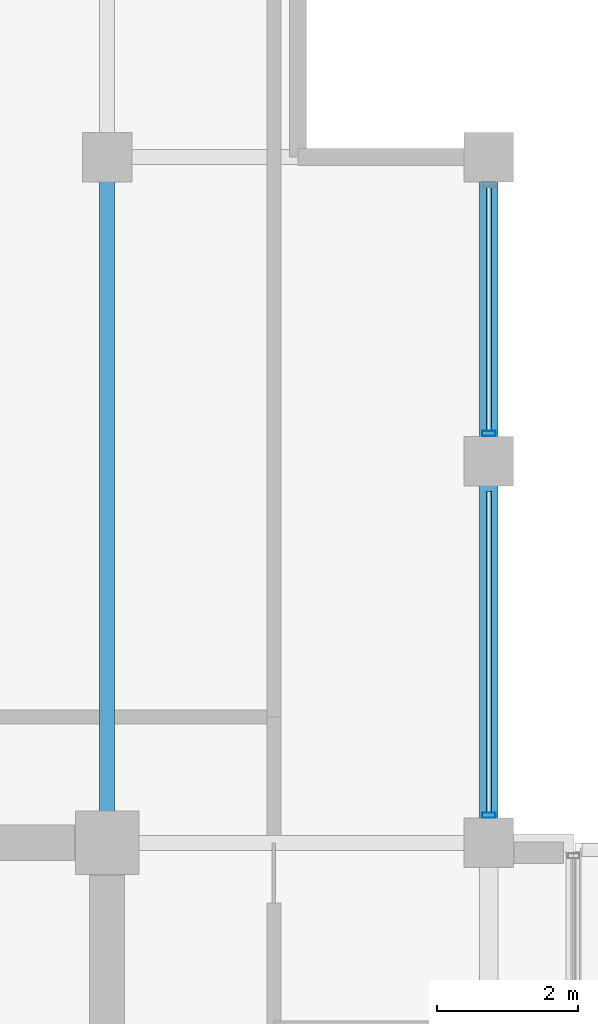
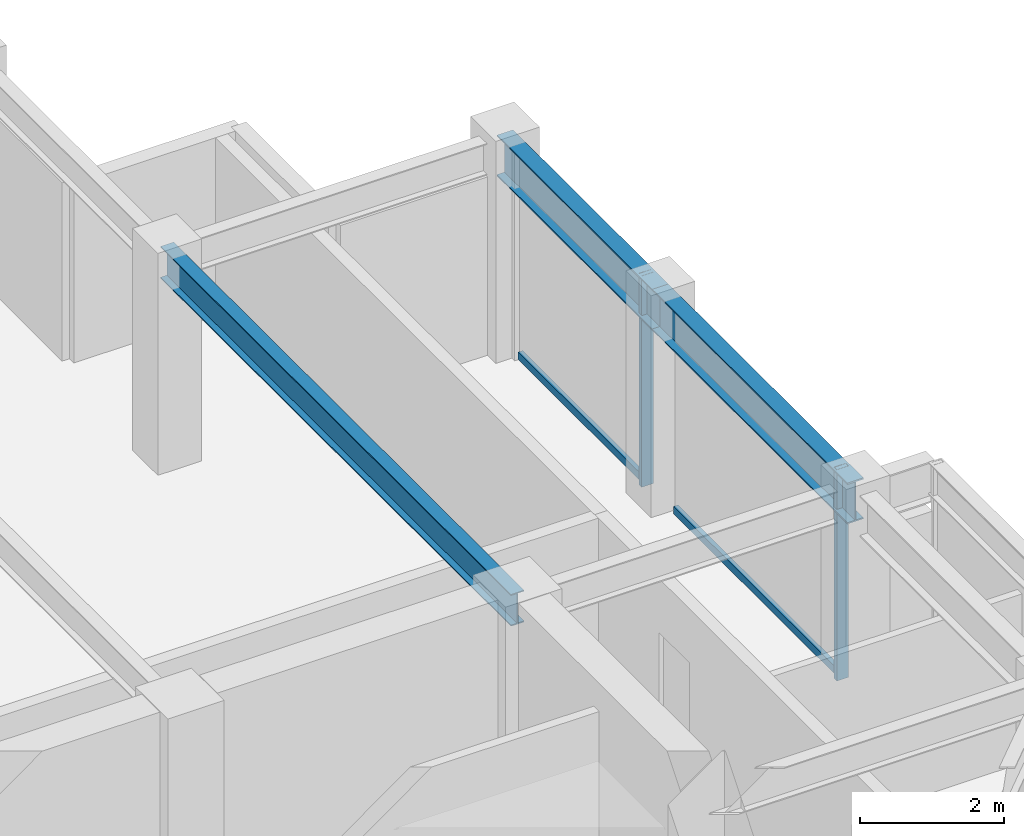
# One storey, part 18 of 31: 4 members, 3 beams, 1 element without a shape of its own.
"""IFC4 building model written with IfcOpenShell, lengths in metres."""

from ifc_helpers import new_model, si_unit, direction, frame, origin, origin_2d, place, context, subcontext, project, spatial, hollow_rectangle, i_section, extrude, material, layer, layer_set, material_profile, profile_set, type_object, element, aggregate, save


model = new_model("IFC4")

# Units and contexts
model_context = context("Model", 3, precision=1e-05, world=origin(), true_north=direction((0.0, 1.0)))
body_context = subcontext(model_context, "Body", "Model", "MODEL_VIEW")
ifc_project = project(units=[si_unit("LENGTHUNIT", "METRE"), si_unit("AREAUNIT", "SQUARE_METRE"), si_unit("VOLUMEUNIT", "CUBIC_METRE"), si_unit("PLANEANGLEUNIT", "RADIAN"), si_unit("MASSUNIT", "GRAM", prefix="KILO")], contexts=[model_context])

# Site, building, storey
site_placement = place(None, origin())
site = spatial("IfcSite", under=ifc_project, at=site_placement, CompositionType="ELEMENT")
building_placement = place(site_placement, origin())
building = spatial("IfcBuilding", under=site, at=building_placement, Name="Surkhivell Harbour Commons", CompositionType="ELEMENT")
storey_placement = place(building_placement, frame((0.0, 0.0, 270.0)))
storey = spatial("IfcBuildingStorey", under=building, at=storey_placement, Name="L70", CompositionType="ELEMENT", Elevation=270.0)

# Beams
ifc_material_1 = material(Name="Steel S355", Category="steel")
ifc_material_profile_1 = material_profile(ifc_material_1, i_section(OverallWidth=0.2099609375, OverallDepth=0.537109375, WebThickness=0.0107421875, FlangeThickness=0.017333984375, at=origin_2d()), Name="UB533x210x101")
ifc_profile_set_1 = profile_set([ifc_material_profile_1], Name="Steel S355")
beam_type_1 = type_object("IfcBeamType", Name="BM-GRD-533B", PredefinedType="BEAM", material=ifc_profile_set_1)
beam_1_placement = place(storey_placement, frame((10.800048828125, 10.800048828125, 3.301513671875), z_axis=(0.0, 1.0, 0.0), x_axis=(-1.0, 0.0, 0.0)))
element("IfcBeam", 1, at=beam_1_placement, inside=storey, type_object=beam_type_1, Name="L70 Floor Girder (10.8,10.8)", PredefinedType="BEAM", context=body_context, shape_type="SweptSolid", body=[
    extrude(i_section(OverallWidth=0.2099609375, OverallDepth=0.537109375, WebThickness=0.0107421875, FlangeThickness=0.017333984375, at=origin_2d()), origin(), (0.0, 0.0, 1.0), 9.699951171875),
])
ifc_material_profile_2 = material_profile(ifc_material_1, i_section(OverallWidth=0.256103515625, OverallDepth=0.693115234375, WebThickness=0.014404296875, FlangeThickness=0.023681640625, at=origin_2d()), Name="UB686x254x170")
ifc_profile_set_2 = profile_set([ifc_material_profile_2], Name="Steel S355")
beam_type_2 = type_object("IfcBeamType", Name="BM-SPN-686", PredefinedType="SPANDREL", material=ifc_profile_set_2)
beam_2_placement = place(storey_placement, frame((16.199951171875, 10.800048828125, 3.223388671875), z_axis=(0.0, 1.0, 0.0), x_axis=(-1.0, 0.0, 0.0)))
element("IfcBeam", 2, at=beam_2_placement, inside=storey, type_object=beam_type_2, Name="L70 Tube Spandrel (16.2,10.8)", PredefinedType="SPANDREL", context=body_context, shape_type="SweptSolid", body=[
    extrude(i_section(OverallWidth=0.256103515625, OverallDepth=0.693115234375, WebThickness=0.014404296875, FlangeThickness=0.023681640625, at=origin_2d()), origin(), (0.0, 0.0, 1.0), 5.39990234375),
])
beam_3_placement = place(storey_placement, frame((16.199951171875, 16.199951171875, 3.223388671875), z_axis=(0.0, 1.0, 0.0), x_axis=(-1.0, 0.0, 0.0)))
element("IfcBeam", 3, at=beam_3_placement, inside=storey, type_object=beam_type_2, Name="L70 Tube Spandrel (16.2,16.2)", PredefinedType="SPANDREL", context=body_context, shape_type="SweptSolid", body=[
    extrude(i_section(OverallWidth=0.256103515625, OverallDepth=0.693115234375, WebThickness=0.014404296875, FlangeThickness=0.023681640625, at=origin_2d()), origin(), (0.0, 0.0, 1.0), 4.300048828125),
])

# Curtain wall, members
ifc_material_2 = material(Name="Anodised pale-metal aluminium and insulated glazing", Category="aluminium")
ifc_layer = layer(ifc_material_2, 0.175048828125)
ifc_layer_set = layer_set([ifc_layer], Name="Anodised pale-metal aluminium and insulated glazing")
curtain_wall_type = type_object("IfcCurtainWallType", Name="CW-SYS-Z4", PredefinedType="NOTDEFINED", material=ifc_layer_set)
curtain_wall_placement = place(storey_placement, origin())
curtain_wall = element("IfcCurtainWall", 4, at=curtain_wall_placement, inside=storey, type_object=curtain_wall_type, Name="L70 Curtain Wall CW-L70-E02R2", PredefinedType="NOTDEFINED")
ifc_material_3 = material(Name="Anodised pale-metal aluminium alloy 6063-T6", Category="aluminium")
ifc_material_profile_3 = material_profile(ifc_material_3, hollow_rectangle(XDim=0.074951171875, YDim=0.18994140625, WallThickness=0.00390625, at=origin_2d()), Name="ALU-MULL-75x190")
ifc_profile_set_3 = profile_set([ifc_material_profile_3], Name="Anodised pale-metal aluminium alloy 6063-T6")
member_type_1 = type_object("IfcMemberType", Name="CWM-190", PredefinedType="MULLION", material=ifc_profile_set_3)
member_1_placement = place(storey_placement, frame((16.199951171875, 11.189453125, 0.0), z_axis=(0.0, 0.0, 1.0), x_axis=(0.0, 1.0, 0.0)))
member_1 = element("IfcMember", 5, at=member_1_placement, type_object=member_type_1, Name="CW-Z4 mullion 1", PredefinedType="MULLION", context=body_context, shape_type="SweptSolid", body=[
    extrude(hollow_rectangle(XDim=0.074951171875, YDim=0.18994140625, WallThickness=0.00390625, at=origin_2d()), origin(), (0.0, 0.0, 1.0), 3.570068359375),
])
member_2_placement = place(storey_placement, frame((16.199951171875, 16.589599609375, 0.0), z_axis=(0.0, 0.0, 1.0), x_axis=(0.0, 1.0, 0.0)))
member_2 = element("IfcMember", 6, at=member_2_placement, type_object=member_type_1, Name="CW-Z4 mullion 2", PredefinedType="MULLION", context=body_context, shape_type="SweptSolid", body=[
    extrude(hollow_rectangle(XDim=0.074951171875, YDim=0.18994140625, WallThickness=0.00390625, at=origin_2d()), origin(), (0.0, 0.0, 1.0), 3.570068359375),
])
ifc_material_4 = material(Name="Champagne anodised aluminium alloy 6063-T6", Category="aluminium")
ifc_material_profile_4 = material_profile(ifc_material_4, hollow_rectangle(XDim=0.070068359375, YDim=0.1298828125, WallThickness=0.00341796875, at=origin_2d()), Name="ALU-TRAN-70x130")
ifc_profile_set_4 = profile_set([ifc_material_profile_4], Name="Champagne anodised aluminium alloy 6063-T6")
member_type_2 = type_object("IfcMemberType", Name="CWT-130", PredefinedType="USERDEFINED", material=ifc_profile_set_4)
member_3_placement = place(storey_placement, frame((16.199951171875, 11.22705078125, 0.06494140625), z_axis=(0.0, 1.0, 0.0), x_axis=(-1.0, 0.0, 0.0)))
member_3 = element("IfcMember", 7, at=member_3_placement, type_object=member_type_2, Name="CW-Z4 transom 1.1", ObjectType="TRANSOM", PredefinedType="USERDEFINED", context=body_context, shape_type="SweptSolid", body=[
    extrude(hollow_rectangle(XDim=0.070068359375, YDim=0.1298828125, WallThickness=0.00341796875, at=origin_2d()), origin(), (0.0, 0.0, 1.0), 4.5458984375),
])
member_4_placement = place(storey_placement, frame((16.199951171875, 16.626953125, 0.06494140625), z_axis=(0.0, 1.0, 0.0), x_axis=(-1.0, 0.0, 0.0)))
member_4 = element("IfcMember", 8, at=member_4_placement, type_object=member_type_2, Name="CW-Z4 transom 2.1", ObjectType="TRANSOM", PredefinedType="USERDEFINED", context=body_context, shape_type="SweptSolid", body=[
    extrude(hollow_rectangle(XDim=0.070068359375, YDim=0.1298828125, WallThickness=0.00341796875, at=origin_2d()), origin(), (0.0, 0.0, 1.0), 3.446044921875),
])
aggregate(curtain_wall, [member_1, member_3, member_2, member_4])

save(model, "model.ifc")
